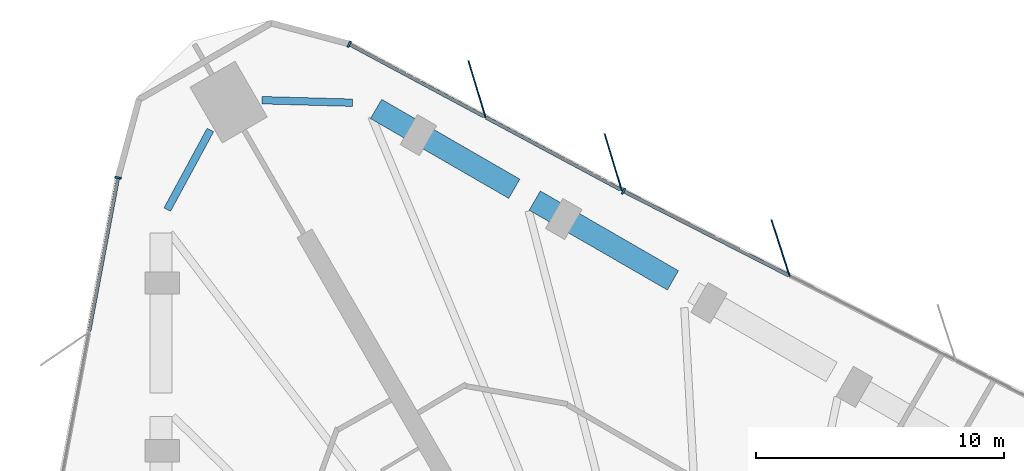
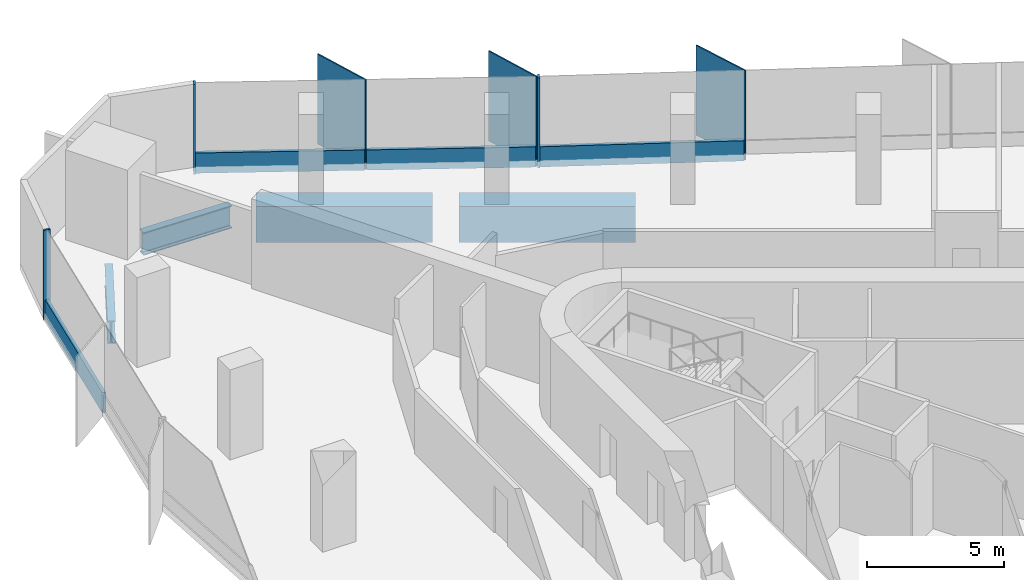
# One storey, part 6 of 13: 10 members, 4 beams, 3 elements without a shape of their own.
"""IFC4 building model written with IfcOpenShell, lengths in metres."""

from ifc_helpers import new_model, si_unit, direction, frame, origin, origin_2d, place, context, subcontext, project, spatial, rectangle, i_section, extrude, material, material_profile, profile_set, type_object, element, aggregate, save


model = new_model("IFC4")

# Units and contexts
model_context = context("Model", 3, precision=1e-05, world=origin(), true_north=direction((0.0, 1.0)))
body_context = subcontext(model_context, "Body", "Model", "MODEL_VIEW")
ifc_project = project(units=[si_unit("LENGTHUNIT", "METRE"), si_unit("AREAUNIT", "SQUARE_METRE"), si_unit("VOLUMEUNIT", "CUBIC_METRE"), si_unit("PLANEANGLEUNIT", "RADIAN"), si_unit("MASSUNIT", "GRAM", prefix="KILO")], contexts=[model_context])

# Site, building, storey
site_placement = place(None, origin())
site = spatial("IfcSite", under=ifc_project, at=site_placement, CompositionType="ELEMENT")
building_placement = place(site_placement, origin())
building = spatial("IfcBuilding", under=site, at=building_placement, Name="Tanit Gate Tower", CompositionType="ELEMENT")
storey_placement = place(building_placement, frame((0.0, 0.0, 169.199951171875)))
storey = spatial("IfcBuildingStorey", under=building, at=storey_placement, Name="L36", CompositionType="ELEMENT", Elevation=169.199951171875)

# Beams
ifc_material_1 = material(Name="Steel S460", Category="steel")
ifc_material_profile_1 = material_profile(ifc_material_1, i_section(OverallWidth=0.302001953125, OverallDepth=1.008056640625, WebThickness=0.02099609375, FlangeThickness=0.0400390625, FilletRadius=0.030029296875, at=origin_2d()), Name="HEM 1000")
ifc_profile_set_1 = profile_set([ifc_material_profile_1], Name="Steel S460")
beam_type_1 = type_object("IfcBeamType", Name="BELT TRUSS CHORD HEM 1000 S460", PredefinedType="BEAM", material=ifc_profile_set_1)
beam_1_placement = place(storey_placement, frame((-14.853515625, 34.354736328125, -0.803955078125), z_axis=(-0.999623075292, 0.027453730969, 0.0), x_axis=(-0.027453730969, -0.999623075292, 0.0)))
element("IfcBeam", 1, at=beam_1_placement, inside=storey, type_object=beam_type_1, Name="BELT TRUSS CHORD", PredefinedType="BEAM", context=body_context, shape_type="SweptSolid", body=[
    extrude(i_section(OverallWidth=0.302001953125, OverallDepth=1.008056640625, WebThickness=0.02099609375, FlangeThickness=0.0400390625, FilletRadius=0.030029296875, at=origin_2d()), origin(), (0.0, 0.0, 1.0), 3.655029296875),
])
beam_2_placement = place(storey_placement, frame((-20.585693359375, 33.255126953125, -0.803955078125), z_axis=(-0.475943110339, -0.879476068873, 0.0), x_axis=(0.879476068873, -0.475943110339, 0.0)))
element("IfcBeam", 2, at=beam_2_placement, inside=storey, type_object=beam_type_1, Name="BELT TRUSS CHORD", PredefinedType="BEAM", context=body_context, shape_type="SweptSolid", body=[
    extrude(i_section(OverallWidth=0.302001953125, OverallDepth=1.008056640625, WebThickness=0.02099609375, FlangeThickness=0.0400390625, FilletRadius=0.030029296875, at=origin_2d()), origin(), (0.0, 0.0, 1.0), 3.65478515625),
])

# Curtain wall, member
ifc_material_2 = material(Name="Aluminium bronze anodised and glass", Category="aluminium")
curtain_wall_type = type_object("IfcCurtainWallType", Name="Curtain wall typical mid", PredefinedType="NOTDEFINED", material=ifc_material_2)
curtain_wall_1_placement = place(storey_placement, origin())
curtain_wall_1 = element("IfcCurtainWall", 3, at=curtain_wall_1_placement, inside=storey, type_object=curtain_wall_type, Name="Curtain wall L36 NE2", PredefinedType="NOTDEFINED")
ifc_material_3 = material(Name="Aluminium bronze anodised", Category="aluminium")
ifc_material_profile_2 = material_profile(ifc_material_3, rectangle(XDim=2.39990234375, YDim=0.055908203125, at=origin_2d()), Name="56x2400 bronze fin mullion")
ifc_profile_set_2 = profile_set([ifc_material_profile_2], Name="Aluminium bronze anodised")
member_type_1 = type_object("IfcMemberType", Name="FIN MULLION 56x2400 bronze", PredefinedType="MULLION", material=ifc_profile_set_2)
member_1_placement = place(storey_placement, frame((2.418212890625, 28.48974609375, -0.300048828125), z_axis=(0.0, 0.0, 1.0), x_axis=(0.308568289465, -0.951202192353, 0.0)))
member_1 = element("IfcMember", 4, at=member_1_placement, type_object=member_type_1, Name="Fin mullion L36 NE2.5", PredefinedType="MULLION", context=body_context, shape_type="SweptSolid", body=[
    extrude(rectangle(XDim=2.39990234375, YDim=0.055908203125, at=origin_2d()), origin(), (0.0, 0.0, 1.0), 4.0),
])

# Curtain wall, members
curtain_wall_2_placement = place(storey_placement, origin())
curtain_wall_2 = element("IfcCurtainWall", 5, at=curtain_wall_2_placement, inside=storey, type_object=curtain_wall_type, Name="Curtain wall L36 NE3", PredefinedType="NOTDEFINED")
member_2_placement = place(storey_placement, frame((-4.333740234375, 31.953857421875, -0.300048828125), z_axis=(0.0, 0.0, 1.0), x_axis=(0.289196311562, -0.957269812216, 0.0)))
member_2 = element("IfcMember", 6, at=member_2_placement, type_object=member_type_1, Name="Fin mullion L36 NE3.1", PredefinedType="MULLION", context=body_context, shape_type="SweptSolid", body=[
    extrude(rectangle(XDim=2.39990234375, YDim=0.055908203125, at=origin_2d()), origin(), (0.0, 0.0, 1.0), 4.0),
])
member_3_placement = place(storey_placement, frame((-9.829345703125, 34.8994140625, -0.300048828125), z_axis=(0.0, 0.0, 1.0), x_axis=(0.289196311562, -0.957269812216, 0.0)))
member_3 = element("IfcMember", 7, at=member_3_placement, type_object=member_type_1, Name="Fin mullion L36 NE3.2", PredefinedType="MULLION", context=body_context, shape_type="SweptSolid", body=[
    extrude(rectangle(XDim=2.39990234375, YDim=0.055908203125, at=origin_2d()), origin(), (0.0, 0.0, 1.0), 4.0),
])

# Member
ifc_material_4 = material(Name="Aluminium bronze anodised", Category="aluminium")
ifc_material_profile_3 = material_profile(ifc_material_4, rectangle(XDim=0.260009765625, YDim=0.080078125, at=origin_2d()), Name="80x260 bronze mullion")
ifc_profile_set_3 = profile_set([ifc_material_profile_3], Name="Aluminium bronze anodised")
member_type_2 = type_object("IfcMemberType", Name="Mullion 80x260 typical mid", PredefinedType="MULLION", material=ifc_profile_set_3)
member_4_placement = place(storey_placement, frame((-3.921875, 30.788330078125, -0.300048828125), z_axis=(0.0, 0.0, 1.0), x_axis=(-0.454410790552, -0.890792250432, 0.0)))
member_4 = element("IfcMember", 8, at=member_4_placement, type_object=member_type_2, Name="Mullion L36 NE2.6", PredefinedType="MULLION", context=body_context, shape_type="SweptSolid", body=[
    extrude(rectangle(XDim=0.260009765625, YDim=0.080078125, at=origin_2d()), origin(), (0.0, 0.0, 1.0), 4.0),
])

member_5_placement = place(storey_placement, frame((-14.984130859375, 36.716552734375, -0.300048828125), z_axis=(0.0, 0.0, 1.0), x_axis=(-0.472399302643, -0.881384648642, 0.0)))
member_5 = element("IfcMember", 9, at=member_5_placement, type_object=member_type_2, Name="Mullion L36 NE3.3", PredefinedType="MULLION", context=body_context, shape_type="SweptSolid", body=[
    extrude(rectangle(XDim=0.260009765625, YDim=0.080078125, at=origin_2d()), origin(), (0.0, 0.0, 1.0), 4.0),
])

# Curtain wall, member
curtain_wall_3_placement = place(storey_placement, origin())
curtain_wall_3 = element("IfcCurtainWall", 10, at=curtain_wall_3_placement, inside=storey, type_object=curtain_wall_type, Name="Curtain wall L36 W1", PredefinedType="NOTDEFINED")
member_6_placement = place(storey_placement, frame((-24.313720703125, 31.32666015625, -0.300048828125), z_axis=(0.0, 0.0, 1.0), x_axis=(0.98288954154, -0.184195953081, 0.0)))
member_6 = element("IfcMember", 11, at=member_6_placement, type_object=member_type_2, Name="Mullion L36 W1.1", PredefinedType="MULLION", context=body_context, shape_type="SweptSolid", body=[
    extrude(rectangle(XDim=0.260009765625, YDim=0.080078125, at=origin_2d()), origin(), (0.0, 0.0, 1.0), 4.0),
])

# Beams
ifc_material_5 = material(Name="Concrete C60/75", Category="concrete")
ifc_material_profile_4 = material_profile(ifc_material_5, rectangle(XDim=0.89990234375, YDim=1.60009765625, at=origin_2d()), Name="RC 900x1600")
ifc_profile_set_4 = profile_set([ifc_material_profile_4], Name="Concrete C60/75")
beam_type_2 = type_object("IfcBeamType", Name="TRANSFER GIRDER 900x1600 C60/75", PredefinedType="USERDEFINED", material=ifc_profile_set_4)
for number, where, z_axis, x_axis, name in (
    (12, (-1.922607421875, 27.185791015625, -1.099853515625), (-0.866023373617, 0.500003516336, 0.0), (-0.500003516336, -0.866023373617, 0.0), "TRANSFER GIRDER"),
    (13, (-8.32373046875, 30.881591796875, -1.099853515625), (-0.866023373617, 0.500003516336, 0.0), (-0.500003516336, -0.866023373617, 0.0), "TRANSFER GIRDER"),
):
    element("IfcBeam", number, at=place(storey_placement, frame(where, z_axis=z_axis, x_axis=x_axis)), inside=storey, type_object=beam_type_2, Name=name, ObjectType="GIRDER", PredefinedType="USERDEFINED", context=body_context, shape_type="SweptSolid", body=[
        extrude(rectangle(XDim=0.89990234375, YDim=1.60009765625, at=origin_2d()), origin(), (0.0, 0.0, 1.0), 6.44140625),
    ])

# Member
ifc_material_6 = material(Name="Aluminium bronze anodised", Category="aluminium")
ifc_material_profile_5 = material_profile(ifc_material_6, rectangle(XDim=0.139892578125, YDim=0.89990234375, at=origin_2d()), Name="140x900 bronze transom")
ifc_profile_set_5 = profile_set([ifc_material_profile_5], Name="Aluminium bronze anodised")
member_type_3 = type_object("IfcMemberType", Name="Transom 140x900 typical mid", PredefinedType="USERDEFINED", material=ifc_profile_set_5)
member_7_placement = place(storey_placement, frame((2.746337890625, 27.38671875, 0.150146484375), z_axis=(-0.890797896574, 0.454399722116, 0.0), x_axis=(-0.454399722116, -0.890797896574, 0.0)))
member_7 = element("IfcMember", 14, at=member_7_placement, type_object=member_type_3, Name="Transom L36 NE2.5", ObjectType="TRANSOM", PredefinedType="USERDEFINED", context=body_context, shape_type="SweptSolid", body=[
    extrude(rectangle(XDim=0.139892578125, YDim=0.89990234375, at=origin_2d()), origin(), (0.0, 0.0, 1.0), 7.445556640625),
])

aggregate(curtain_wall_1, [member_1, member_4, member_7])

member_8_placement = place(storey_placement, frame((-4.028076171875, 30.84423828125, 0.150146484375), z_axis=(-0.88138265757, 0.472403017491, 0.0), x_axis=(-0.472403017491, -0.88138265757, 0.0)))
member_8 = element("IfcMember", 15, at=member_8_placement, type_object=member_type_3, Name="Transom L36 NE3.1", ObjectType="TRANSOM", PredefinedType="USERDEFINED", context=body_context, shape_type="SweptSolid", body=[
    extrude(rectangle(XDim=0.139892578125, YDim=0.89990234375, at=origin_2d()), origin(), (0.0, 0.0, 1.0), 6.1552734375),
])

member_9_placement = place(storey_placement, frame((-9.523681640625, 33.789794921875, 0.150146484375), z_axis=(-0.881391508797, 0.472386503005, 0.0), x_axis=(-0.472386503005, -0.881391508797, 0.0)))
member_9 = element("IfcMember", 16, at=member_9_placement, type_object=member_type_3, Name="Transom L36 NE3.2", ObjectType="TRANSOM", PredefinedType="USERDEFINED", context=body_context, shape_type="SweptSolid", body=[
    extrude(rectangle(XDim=0.139892578125, YDim=0.89990234375, at=origin_2d()), origin(), (0.0, 0.0, 1.0), 6.1552734375),
])

aggregate(curtain_wall_2, [member_2, member_3, member_5, member_8, member_9])

member_10_placement = place(storey_placement, frame((-24.3212890625, 31.287353515625, 0.150146484375), z_axis=(-0.184166057042, -0.982895143662, 0.0), x_axis=(0.982895143662, -0.184166057042, 0.0)))
member_10 = element("IfcMember", 17, at=member_10_placement, type_object=member_type_3, Name="Transom L36 W1.1", ObjectType="TRANSOM", PredefinedType="USERDEFINED", context=body_context, shape_type="SweptSolid", body=[
    extrude(rectangle(XDim=0.139892578125, YDim=0.89990234375, at=origin_2d()), origin(), (0.0, 0.0, 1.0), 6.25830078125),
])

aggregate(curtain_wall_3, [member_6, member_10])

save(model, "model.ifc")
